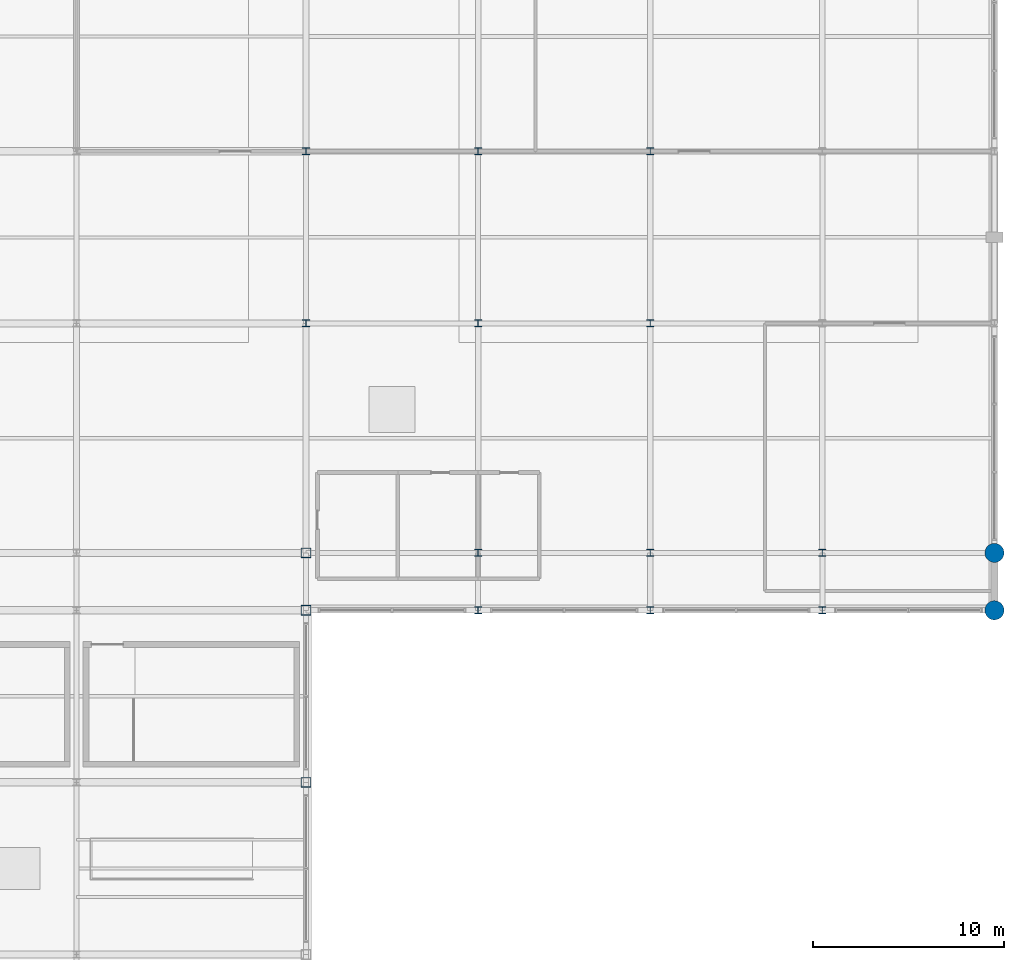
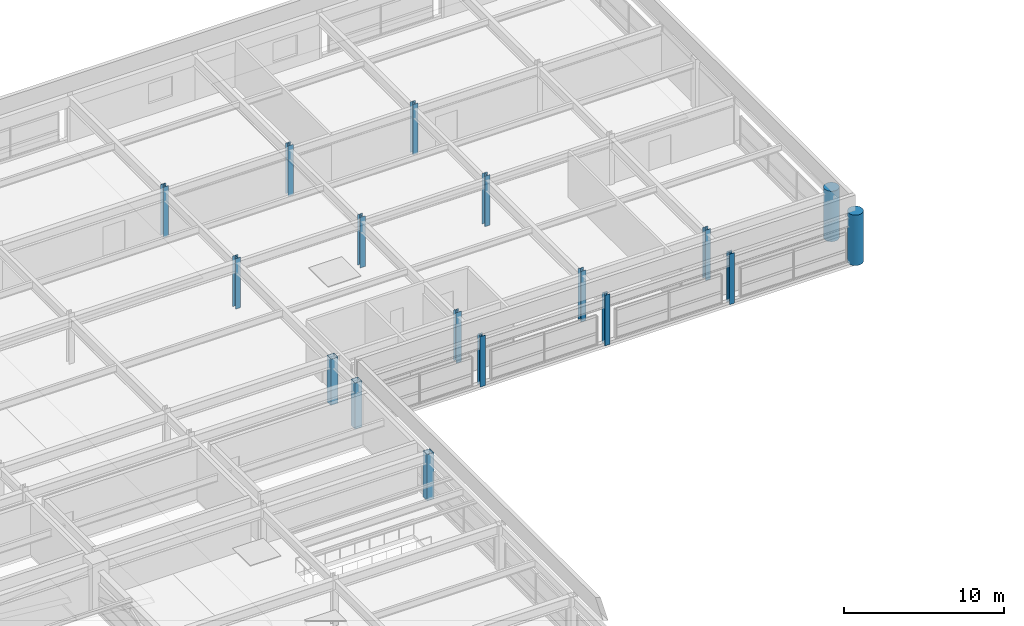
# One storey, part 17 of 108: 17 columns.
"""IFC4 building model written with IfcOpenShell, lengths in metres."""

import ifcopenshell
import ifcopenshell.guid

model = None  # the IFC model being written
_history = None  # IfcOwnerHistory: only IFC2X3 demands one
_inside = {}  # id of a spatial element -> (the spatial element, [elements in it])
_under = {}  # id of a project, library or spatial element -> (it, [spatial elements below it])
_declared = {}  # id of a project -> (the project, [libraries it declares])
_typed = {}  # id of a type object -> (the type object, [elements of that type])
_made_of = {}  # id of a material, layer set ... -> (it, [elements and type objects made of it])


def new_model(schema):
    """Start an empty IFC model of exactly this schema.

    Asked for "IFC4X3", IfcOpenShell would pick the latest addendum, in which some entities
    have other attributes; the version numbers below select the first issue.
    IFC2X3 requires an IfcOwnerHistory on every rooted entity: one is made here for all.
    """
    global model, _history
    if schema == "IFC4X3":
        model = ifcopenshell.file(schema_version=(4, 3, 0, 0))
    else:
        model = ifcopenshell.file(schema=schema)
    _inside.clear()
    _under.clear()
    _declared.clear()
    _typed.clear()
    _made_of.clear()
    _history = None
    if model.schema == "IFC2X3":
        org = make("IfcOrganization", Name="unknown")
        user = make(
            "IfcPersonAndOrganization",
            ThePerson=make("IfcPerson", FamilyName="unknown"),
            TheOrganization=org,
        )
        app = make(
            "IfcApplication",
            ApplicationDeveloper=org,
            Version="unknown",
            ApplicationFullName="unknown",
            ApplicationIdentifier="unknown",
        )
        _history = make(
            "IfcOwnerHistory",
            OwningUser=user,
            OwningApplication=app,
            ChangeAction="ADDED",
            CreationDate=0,
        )
    return model


def make(cls, **values):
    """One entity of the class cls with the attributes given. An attribute that is None is left unset."""
    return model.create_entity(
        cls, **{name: value for name, value in values.items() if value is not None}
    )


def rooted(cls, **values):
    """An entity with a GlobalId (a new one), such as an element, a storey or a relation."""
    return make(cls, GlobalId=ifcopenshell.guid.new(), OwnerHistory=_history, **values)


def si_unit(unit_type, name, prefix=None):
    """IfcSIUnit, for example si_unit("LENGTHUNIT", "METRE", prefix="MILLI")."""
    return make("IfcSIUnit", UnitType=unit_type, Prefix=prefix, Name=name)


def assignment(units):
    """IfcUnitAssignment: the units of a project."""
    return None if units is None else make("IfcUnitAssignment", Units=units)


def point(xyz):
    """IfcCartesianPoint."""
    return None if xyz is None else make("IfcCartesianPoint", Coordinates=xyz)


def direction(xyz):
    """IfcDirection."""
    return None if xyz is None else make("IfcDirection", DirectionRatios=xyz)


def frame(location, z_axis=None, x_axis=None):
    """IfcAxis2Placement3D, a coordinate frame: its origin and axes. An axis left out is left unset."""
    return make(
        "IfcAxis2Placement3D",
        Location=point(location),
        Axis=direction(z_axis),
        RefDirection=direction(x_axis),
    )


def frame_2d(location, x_axis=None):
    """IfcAxis2Placement2D, a coordinate frame in the plane: its origin and x axis."""
    return make(
        "IfcAxis2Placement2D", Location=point(location), RefDirection=direction(x_axis)
    )


def origin():
    """The frame at (0, 0, 0) with its axes left unset."""
    return frame((0.0, 0.0, 0.0))


def origin_2d():
    """The frame at (0, 0) in the plane with its x axis left unset."""
    return frame_2d((0.0, 0.0))


def place(relative_to, where):
    """IfcLocalPlacement: puts the frame where relative to a parent placement (None: the world)."""
    return make(
        "IfcLocalPlacement", PlacementRelTo=relative_to, RelativePlacement=where
    )


def context(
    kind, dimensions, precision=None, world=None, true_north=None, identifier=None
):
    """IfcGeometricRepresentationContext, for example the 3D "Model" context."""
    return make(
        "IfcGeometricRepresentationContext",
        ContextIdentifier=identifier,
        ContextType=kind,
        CoordinateSpaceDimension=dimensions,
        Precision=precision,
        WorldCoordinateSystem=world,
        TrueNorth=true_north,
    )


def subcontext(parent, identifier, kind, view, scale=None):
    """IfcGeometricRepresentationSubContext, for example "Body" below "Model"."""
    return make(
        "IfcGeometricRepresentationSubContext",
        ContextIdentifier=identifier,
        ContextType=kind,
        ParentContext=parent,
        TargetScale=scale,
        TargetView=view,
    )


def project(units=None, contexts=None):
    """IfcProject with its units and contexts."""
    return rooted(
        "IfcProject",
        Name="project",
        RepresentationContexts=contexts,
        UnitsInContext=assignment(units),
    )


def spatial(cls, under=None, at=None, **own):
    """A site, building, storey or space (cls), placed at a placement, below another one or the project."""
    s = rooted(cls, ObjectPlacement=at, **own)
    if under is not None:
        _under.setdefault(under.id(), (under, []))[1].append(s)
    return s


def profile(cls, at=None, kind="AREA", **sizes):
    """A parametric profile (cls). Its sizes go by their IFC names, for example OverallWidth=200.0."""
    return make(cls, ProfileType=kind, Position=at, **sizes)


def hollow_rectangle(**sizes):
    """IfcRectangleHollowProfileDef."""
    return profile("IfcRectangleHollowProfileDef", **sizes)


def circle(**sizes):
    """IfcCircleProfileDef."""
    return profile("IfcCircleProfileDef", **sizes)


def i_section(**sizes):
    """IfcIShapeProfileDef."""
    return profile("IfcIShapeProfileDef", **sizes)


def extrude(swept, where, along, depth):
    """IfcExtrudedAreaSolid: the profile swept, set in the frame where, extruded along a direction by depth."""
    return make(
        "IfcExtrudedAreaSolid",
        SweptArea=swept,
        Position=where,
        ExtrudedDirection=direction(along),
        Depth=depth,
    )


def shape(context_of_items, identifier, shape_type, items):
    """IfcShapeRepresentation: the items that make up one representation, for example the "Body"."""
    return make(
        "IfcShapeRepresentation",
        ContextOfItems=context_of_items,
        RepresentationIdentifier=identifier,
        RepresentationType=shape_type,
        Items=items,
    )


def material(Name=None, Category=None):
    """IfcMaterial."""
    return make("IfcMaterial", Name=Name, Category=Category)


def material_profile(
    of_material, cross_section, Name=None, Category=None, Priority=None
):
    """IfcMaterialProfile: a cross section and its material."""
    return make(
        "IfcMaterialProfile",
        Name=Name,
        Material=of_material,
        Profile=cross_section,
        Priority=Priority,
        Category=Category,
    )


def profile_set(profiles, Name=None, composite=None):
    """IfcMaterialProfileSet."""
    return make(
        "IfcMaterialProfileSet",
        Name=Name,
        MaterialProfiles=profiles,
        CompositeProfile=composite,
    )


def made_of(thing, what):
    """Note that an element or type object is made of a material, layer set ...; save() writes the relation."""
    if what is not None:
        _made_of.setdefault(what.id(), (what, []))[1].append(thing)
    return thing


def type_object(cls, material=None, **own):
    """A type object (cls), such as IfcWallType, which elements share."""
    return made_of(rooted(cls, **own), material)


def element(
    cls,
    number,
    at=None,
    inside=None,
    cuts=None,
    type_object=None,
    material=None,
    context=None,
    identifier="Body",
    shape_type=None,
    held_by="IfcProductDefinitionShape",
    body=None,
    shapes=None,
    **own,
):
    """One element of the class cls, such as IfcWall. Its Tag is "e" and its number.

    at: its placement. inside: the storey or other place that contains it. cuts: it is an
    opening in that element (IfcRelVoidsElement). A single representation is given by context,
    identifier, shape_type and body (its items); several are given by shapes. held_by: the class
    of the entity that holds the representations. save() writes the other relations.
    """
    e = rooted(cls, Tag="e%d" % number, ObjectPlacement=at, **own)
    if body is not None:
        shapes = [shape(context, identifier, shape_type, body)]
    if shapes is not None:
        e.Representation = make(held_by, Representations=shapes)
    if inside is not None:
        _inside.setdefault(inside.id(), (inside, []))[1].append(e)
    if cuts is not None:
        rooted(
            "IfcRelVoidsElement", RelatingBuildingElement=cuts, RelatedOpeningElement=e
        )
    if type_object is not None:
        _typed.setdefault(type_object.id(), (type_object, []))[1].append(e)
    return made_of(e, material)


def aggregate(whole, parts):
    """IfcRelAggregates: a whole, such as a stair, and the parts it consists of."""
    return rooted("IfcRelAggregates", RelatingObject=whole, RelatedObjects=parts)


def save(model, path):
    """Write the relations noted so far, then the file.

    IfcRelAggregates (storeys below a building ...), IfcRelContainedInSpatialStructure (elements
    in a storey), IfcRelDefinesByType, IfcRelAssociatesMaterial and IfcRelDeclares: one each for
    every whole, place, type object, material and project.
    """
    for whole, parts in _under.values():
        aggregate(whole, parts)
    for where, things in _inside.values():
        rooted(
            "IfcRelContainedInSpatialStructure",
            RelatedElements=things,
            RelatingStructure=where,
        )
    for kind, things in _typed.values():
        rooted("IfcRelDefinesByType", RelatedObjects=things, RelatingType=kind)
    for what, things in _made_of.values():
        rooted("IfcRelAssociatesMaterial", RelatedObjects=things, RelatingMaterial=what)
    for by, libraries in _declared.values():
        rooted("IfcRelDeclares", RelatingContext=by, RelatedDefinitions=libraries)
    model.write(path)


model = new_model("IFC4")

# Units and contexts
model_context = context("Model", 3, precision=1e-05, world=origin(), true_north=direction((0.0, 1.0)))
body_context = subcontext(model_context, "Body", "Model", "MODEL_VIEW")
ifc_project = project(units=[si_unit("LENGTHUNIT", "METRE"), si_unit("AREAUNIT", "SQUARE_METRE"), si_unit("VOLUMEUNIT", "CUBIC_METRE"), si_unit("PLANEANGLEUNIT", "RADIAN"), si_unit("MASSUNIT", "GRAM", prefix="KILO")], contexts=[model_context])

# Site, building, storey
site_placement = place(None, origin())
site = spatial("IfcSite", under=ifc_project, at=site_placement, CompositionType="ELEMENT")
building_placement = place(site_placement, origin())
building = spatial("IfcBuilding", under=site, at=building_placement, Name="Kaldorvane Square Convention Centre", CompositionType="ELEMENT")
storey_placement = place(building_placement, frame((0.0, 0.0, 23.399993896484375)))
storey = spatial("IfcBuildingStorey", under=building, at=storey_placement, Name="L04", CompositionType="ELEMENT", Elevation=23.399993896484375)

# Columns
ifc_material_1 = material(Name="Steel ASTM A500 Gr. C", Category="steel")
ifc_material_profile_1 = material_profile(ifc_material_1, hollow_rectangle(XDim=0.50799560546875, YDim=0.50799560546875, WallThickness=0.014801025390625, at=origin_2d()), Name="HSS20X20X5/8")
ifc_profile_set_1 = profile_set([ifc_material_profile_1], Name="Steel ASTM A500 Gr. C")
column_type_1 = type_object("IfcColumnType", Name="COL-HSS-20", PredefinedType="COLUMN", material=ifc_profile_set_1)
for number, where, z_axis, x_axis, name in (
    (1, (138.0, 72.0, 0.0), (0.0, 0.0, 1.0), (1.0, 0.0, 0.0), "Column SC-13 (L04)"),
    (2, (138.0, 81.0, 0.0), (0.0, 0.0, 1.0), (1.0, 0.0, 0.0), "Column SC-13 (L04)"),
    (3, (138.0, 84.0, 0.0), (0.0, 0.0, 1.0), (1.0, 0.0, 0.0), "Column SC-13 (L04)"),
):
    element("IfcColumn", number, at=place(storey_placement, frame(where, z_axis=z_axis, x_axis=x_axis)), inside=storey, type_object=column_type_1, Name=name, PredefinedType="COLUMN", context=body_context, shape_type="SweptSolid", body=[
        extrude(hollow_rectangle(XDim=0.50799560546875, YDim=0.50799560546875, WallThickness=0.014801025390625, at=origin_2d()), origin(), (0.0, 0.0, 1.0), 3.529998779296875),
    ])
ifc_material_2 = material(Name="Concrete f'c = 55 MPa (Normalweight)", Category="concrete")
ifc_material_profile_2 = material_profile(ifc_material_2, circle(Radius=0.5, at=origin_2d()), Name="RC-D1000")
ifc_profile_set_2 = profile_set([ifc_material_profile_2], Name="Concrete f'c = 55 MPa (Normalweight)")
column_type_2 = type_object("IfcColumnType", Name="COL-RC-D1000", PredefinedType="COLUMN", material=ifc_profile_set_2)
for number, where, z_axis, x_axis, name in (
    (4, (174.0, 81.0, 0.0), (0.0, 0.0, 1.0), (1.0, 0.0, 0.0), "Column CC-08 (L04)"),
    (5, (174.0, 84.0, 0.0), (0.0, 0.0, 1.0), (1.0, 0.0, 0.0), "Column CC-08 (L04)"),
):
    element("IfcColumn", number, at=place(storey_placement, frame(where, z_axis=z_axis, x_axis=x_axis)), inside=storey, type_object=column_type_2, Name=name, PredefinedType="COLUMN", context=body_context, shape_type="SweptSolid", body=[
        extrude(circle(Radius=0.5, at=origin_2d()), origin(), (0.0, 0.0, 1.0), 3.850006103515625),
    ])
ifc_material_3 = material(Name="Steel ASTM A992 Gr. 50", Category="steel")
ifc_material_profile_3 = material_profile(ifc_material_3, i_section(OverallWidth=0.3701019287109375, OverallDepth=0.360198974609375, WebThickness=0.012298583984375, FlangeThickness=0.019805908203125, FilletRadius=0.0305023193359375, at=origin_2d()), Name="W14X99")
ifc_profile_set_3 = profile_set([ifc_material_profile_3], Name="Steel ASTM A992 Gr. 50")
column_type_3 = type_object("IfcColumnType", Name="COL-STL-99", PredefinedType="COLUMN", material=ifc_profile_set_3)
for number, where, z_axis, x_axis, name in (
    (6, (138.0, 96.0, 0.0), (0.0, 0.0, 1.0), (1.0, 0.0, 0.0), "Column SC-12 (L04)"),
    (7, (138.0, 105.0, 0.0), (0.0, 0.0, 1.0), (1.0, 0.0, 0.0), "Column SC-12 (L04)"),
    (8, (147.0, 81.0, 0.0), (0.0, 0.0, 1.0), (1.0, 0.0, 0.0), "Column SC-12 (L04)"),
    (9, (147.0, 84.0, 0.0), (0.0, 0.0, 1.0), (1.0, 0.0, 0.0), "Column SC-12 (L04)"),
    (10, (147.0, 96.0, 0.0), (0.0, 0.0, 1.0), (1.0, 0.0, 0.0), "Column SC-12 (L04)"),
    (11, (147.0, 105.0, 0.0), (0.0, 0.0, 1.0), (1.0, 0.0, 0.0), "Column SC-12 (L04)"),
    (12, (156.0, 81.0, 0.0), (0.0, 0.0, 1.0), (1.0, 0.0, 0.0), "Column SC-12 (L04)"),
    (13, (156.0, 84.0, 0.0), (0.0, 0.0, 1.0), (1.0, 0.0, 0.0), "Column SC-12 (L04)"),
    (14, (156.0, 96.0, 0.0), (0.0, 0.0, 1.0), (1.0, 0.0, 0.0), "Column SC-12 (L04)"),
    (15, (156.0, 105.0, 0.0), (0.0, 0.0, 1.0), (1.0, 0.0, 0.0), "Column SC-12 (L04)"),
    (16, (165.0, 81.0, 0.0), (0.0, 0.0, 1.0), (1.0, 0.0, 0.0), "Column SC-12 (L04)"),
    (17, (165.0, 84.0, 0.0), (0.0, 0.0, 1.0), (1.0, 0.0, 0.0), "Column SC-12 (L04)"),
):
    element("IfcColumn", number, at=place(storey_placement, frame(where, z_axis=z_axis, x_axis=x_axis)), inside=storey, type_object=column_type_3, Name=name, PredefinedType="COLUMN", context=body_context, shape_type="SweptSolid", body=[
        extrude(i_section(OverallWidth=0.3701019287109375, OverallDepth=0.360198974609375, WebThickness=0.012298583984375, FlangeThickness=0.019805908203125, FilletRadius=0.0305023193359375, at=origin_2d()), origin(), (0.0, 0.0, 1.0), 3.850006103515625),
    ])

save(model, "model.ifc")
